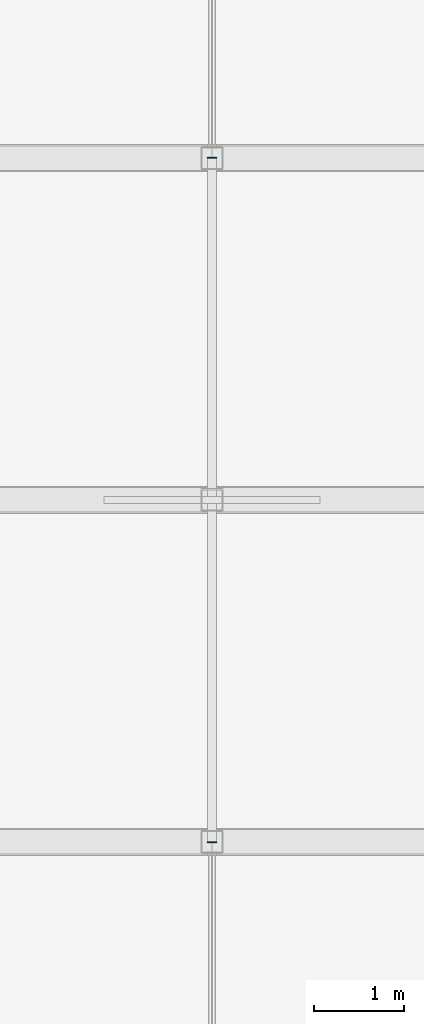
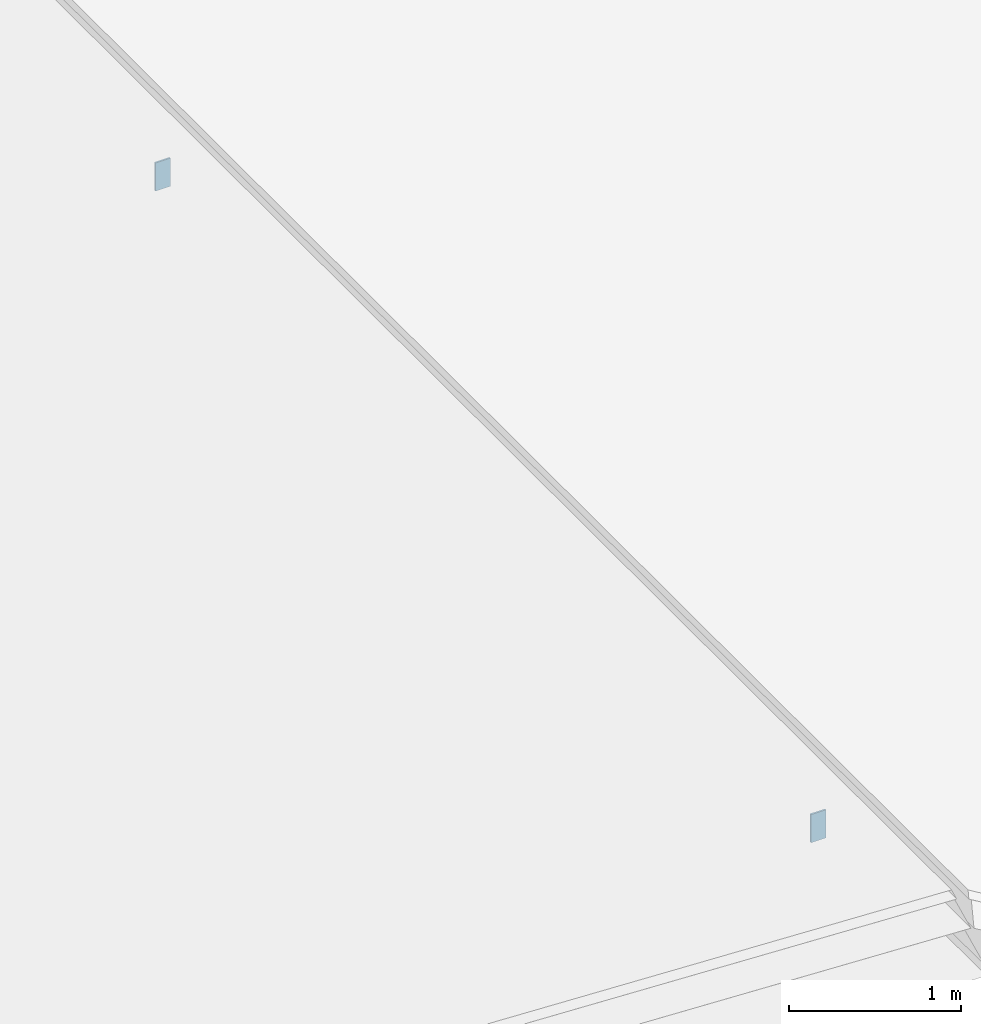
# One storey, part 42 of 61: 2 plates.
"""IFC4 building model written with IfcOpenShell, lengths in metres."""

from ifc_helpers import new_model, si_unit, direction, frame, origin, origin_2d, place, context, subcontext, project, spatial, rectangle, extrude, material, layer, layer_set, type_object, element, save


model = new_model("IFC4")

# Units and contexts
model_context = context("Model", 3, precision=1e-05, world=origin(), true_north=direction((0.0, 1.0)))
body_context = subcontext(model_context, "Body", "Model", "MODEL_VIEW")
ifc_project = project(units=[si_unit("LENGTHUNIT", "METRE"), si_unit("AREAUNIT", "SQUARE_METRE"), si_unit("VOLUMEUNIT", "CUBIC_METRE"), si_unit("PLANEANGLEUNIT", "RADIAN"), si_unit("MASSUNIT", "GRAM", prefix="KILO")], contexts=[model_context])

# Site, building, storey
site_placement = place(None, origin())
site = spatial("IfcSite", under=ifc_project, at=site_placement, CompositionType="ELEMENT")
building_placement = place(site_placement, origin())
building = spatial("IfcBuilding", under=site, at=building_placement, Name="Vellmiral Cinema and Media Centre", CompositionType="ELEMENT")
storey_placement = place(building_placement, frame((0.0, 0.0, 10.800048828125)))
storey = spatial("IfcBuildingStorey", under=building, at=storey_placement, Name="L02", CompositionType="ELEMENT", Elevation=10.800048828125)

# Plates
ifc_material = material(Name="Steel S355", Category="steel")
ifc_layer = layer(ifc_material, 0.011962890625, Name="Steel S355")
ifc_layer_set = layer_set([ifc_layer], Name="Steel S355")
plate_type = type_object("IfcPlateType", Name="PLT-CAP-200", PredefinedType="SHEET", material=ifc_layer_set)
for number, where, z_axis, x_axis, name in (
    (1, (136.0, 39.79443359375, 7.556640625), (0.0, 0.0, 1.0), (1.0, 0.0, 0.0), "Roof Purlin 6.3.1 End Cap Plate"),
    (2, (136.0, 47.405517578125, 7.556640625), (0.0, 0.0, 1.0), (1.0, 0.0, 0.0), "Roof Purlin 6.3.2 End Cap Plate"),
):
    element("IfcPlate", number, at=place(storey_placement, frame(where, z_axis=z_axis, x_axis=x_axis)), inside=storey, type_object=plate_type, Name=name, PredefinedType="SHEET", context=body_context, shape_type="SweptSolid", body=[
        extrude(rectangle(XDim=0.10009765625, YDim=0.011962890625, at=origin_2d()), origin(), (0.0, 0.0, 1.0), 0.199951171875),
    ])

save(model, "model.ifc")
